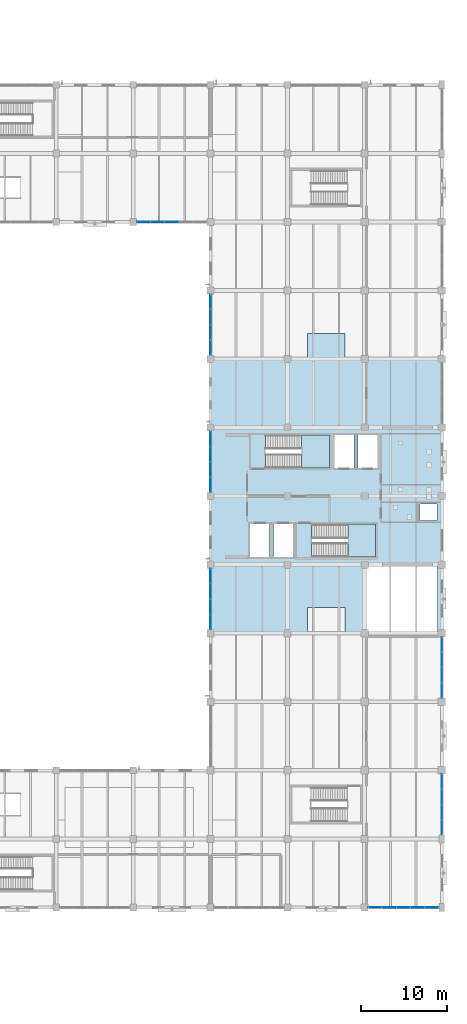
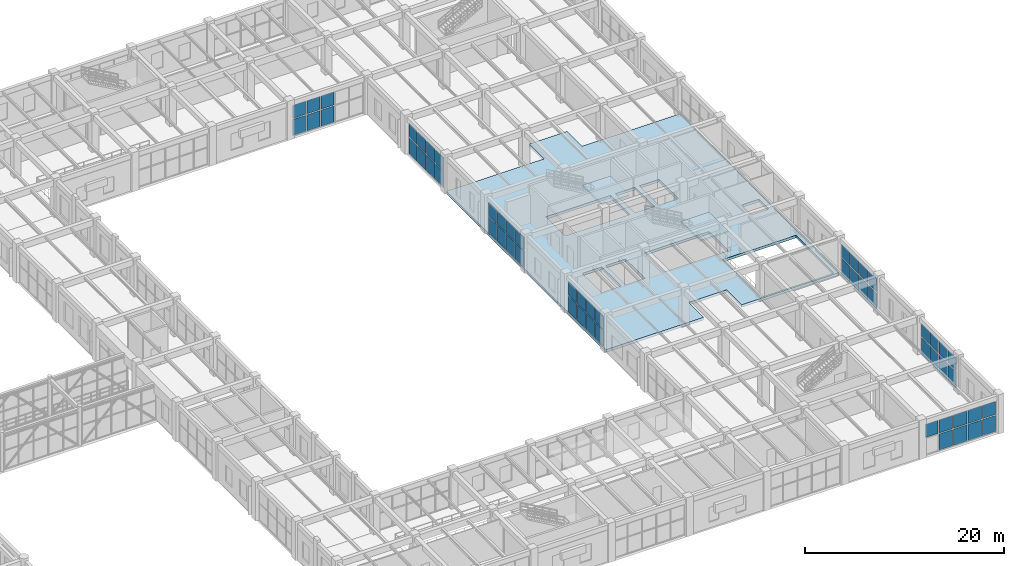
# One storey, part 149 of 178: 55 plates, 3 slabs, 9 elements without a shape of their own.
"""IFC4 building model written with IfcOpenShell, lengths in metres."""

from ifc_helpers import new_model, si_unit, derived_unit, direction, frame, origin, origin_2d, place, context, subcontext, project, spatial, polyline, rectangle, outline, extrude, material, layer, layer_set, type_object, element, aggregate, save


model = new_model("IFC4")

# Units and contexts
model_context = context("Model", 3, precision=1e-05, world=origin(), true_north=direction((0.0, 1.0)))
body_context = subcontext(model_context, "Body", "Model", "MODEL_VIEW")
ifc_project = project(units=[si_unit("LENGTHUNIT", "METRE"), si_unit("AREAUNIT", "SQUARE_METRE"), si_unit("VOLUMEUNIT", "CUBIC_METRE"), si_unit("PLANEANGLEUNIT", "RADIAN"), si_unit("MASSUNIT", "GRAM", prefix="KILO"), derived_unit("THERMALTRANSMITTANCEUNIT", [(si_unit("MASSUNIT", "GRAM", prefix="KILO"), 1), (si_unit("TIMEUNIT", "SECOND"), -3), (si_unit("THERMODYNAMICTEMPERATUREUNIT", "KELVIN"), -1)])], contexts=[model_context])

# Site, building, storey
site_placement = place(None, origin())
site = spatial("IfcSite", under=ifc_project, at=site_placement, CompositionType="ELEMENT")
building_placement = place(site_placement, origin())
building = spatial("IfcBuilding", under=site, at=building_placement, Name="Zhenchuan Archway Interchange", CompositionType="ELEMENT")
storey_placement = place(building_placement, frame((0.0, 0.0, 5.39990234375)))
storey = spatial("IfcBuildingStorey", under=building, at=storey_placement, Name="L01", CompositionType="ELEMENT", Elevation=5.39990234375)

# Curtain wall, plates
ifc_material_1 = material(Name="Anodised Aluminium", Category="aluminium")
curtain_wall_type_1 = type_object("IfcCurtainWallType", Name="CW_UNIT_2", PredefinedType="NOTDEFINED", material=ifc_material_1)
curtain_wall_1_placement = place(storey_placement, origin())
curtain_wall_1 = element("IfcCurtainWall", 1, at=curtain_wall_1_placement, inside=storey, type_object=curtain_wall_type_1, Name="Unitised curtain wall CW:L01:069", PredefinedType="NOTDEFINED")
ifc_material_2 = material(Name="Double Low-E Insulated Glazing", Category="glass")
ifc_layer_1 = layer(ifc_material_2, 0.028076171875)
ifc_layer_set_1 = layer_set([ifc_layer_1], Name="Double Low-E Insulated Glazing")
plate_type_1 = type_object("IfcPlateType", Name="CW_GLZ_1", PredefinedType="CURTAIN_PANEL", material=ifc_layer_set_1)
plate_1_placement = place(storey_placement, frame((169.863037109375, 8.0, 0.080078125), z_axis=(0.0, 0.0, 1.0), x_axis=(-1.0, 0.0, 0.0)))
plate_1 = element("IfcPlate", 2, at=plate_1_placement, type_object=plate_type_1, Name="CW:L01:069 lower glazing panel 0", PredefinedType="CURTAIN_PANEL", context=body_context, shape_type="SweptSolid", body=[
    extrude(rectangle(XDim=1.5078125, YDim=0.028076171875, at=origin_2d()), origin(), (0.0, 0.0, 1.0), 1.98291015625),
])
plate_2_placement = place(storey_placement, frame((168.205322265625, 8.0, 0.080078125), z_axis=(0.0, 0.0, 1.0), x_axis=(-1.0, 0.0, 0.0)))
plate_2 = element("IfcPlate", 3, at=plate_2_placement, type_object=plate_type_1, Name="CW:L01:069 lower glazing panel 1", PredefinedType="CURTAIN_PANEL", context=body_context, shape_type="SweptSolid", body=[
    extrude(rectangle(XDim=1.52783203125, YDim=0.028076171875, at=origin_2d()), origin(), (0.0, 0.0, 1.0), 1.98291015625),
])
plate_3_placement = place(storey_placement, frame((166.53759765625, 8.0, 0.080078125), z_axis=(0.0, 0.0, 1.0), x_axis=(-1.0, 0.0, 0.0)))
plate_3 = element("IfcPlate", 4, at=plate_3_placement, type_object=plate_type_1, Name="CW:L01:069 lower glazing panel 2", PredefinedType="CURTAIN_PANEL", context=body_context, shape_type="SweptSolid", body=[
    extrude(rectangle(XDim=1.52783203125, YDim=0.028076171875, at=origin_2d()), origin(), (0.0, 0.0, 1.0), 1.98291015625),
])
plate_4_placement = place(storey_placement, frame((164.86962890625, 8.0, 0.080078125), z_axis=(0.0, 0.0, 1.0), x_axis=(-1.0, 0.0, 0.0)))
plate_4 = element("IfcPlate", 5, at=plate_4_placement, type_object=plate_type_1, Name="CW:L01:069 lower glazing panel 3", PredefinedType="CURTAIN_PANEL", context=body_context, shape_type="SweptSolid", body=[
    extrude(rectangle(XDim=1.52783203125, YDim=0.028076171875, at=origin_2d()), origin(), (0.0, 0.0, 1.0), 1.98291015625),
])

curtain_wall_type_2 = type_object("IfcCurtainWallType", Name="CW_UNIT_1", PredefinedType="NOTDEFINED", material=ifc_material_1)
curtain_wall_2_placement = place(storey_placement, origin())
curtain_wall_2 = element("IfcCurtainWall", 6, at=curtain_wall_2_placement, inside=storey, type_object=curtain_wall_type_2, Name="Unitised curtain wall CW:L01:096", PredefinedType="NOTDEFINED")
plate_5_placement = place(storey_placement, frame((139.487548828125, 88.0, 0.080078125), z_axis=(0.0, 0.0, 1.0), x_axis=(-1.0, 0.0, 0.0)))
plate_5 = element("IfcPlate", 7, at=plate_5_placement, type_object=plate_type_1, Name="CW:L01:096 lower glazing panel 2", PredefinedType="CURTAIN_PANEL", context=body_context, shape_type="SweptSolid", body=[
    extrude(rectangle(XDim=1.5078125, YDim=0.028076171875, at=origin_2d()), origin(), (0.0, 0.0, 1.0), 1.98291015625),
])
plate_6_placement = place(storey_placement, frame((137.839599609375, 88.0, 0.080078125), z_axis=(0.0, 0.0, 1.0), x_axis=(-1.0, 0.0, 0.0)))
plate_6 = element("IfcPlate", 8, at=plate_6_placement, type_object=plate_type_1, Name="CW:L01:096 lower glazing panel 3", PredefinedType="CURTAIN_PANEL", context=body_context, shape_type="SweptSolid", body=[
    extrude(rectangle(XDim=1.5078125, YDim=0.028076171875, at=origin_2d()), origin(), (0.0, 0.0, 1.0), 1.98291015625),
])
plate_7_placement = place(storey_placement, frame((136.201904296875, 88.0, 0.080078125), z_axis=(0.0, 0.0, 1.0), x_axis=(-1.0, 0.0, 0.0)))
plate_7 = element("IfcPlate", 9, at=plate_7_placement, type_object=plate_type_1, Name="CW:L01:096 lower glazing panel 4", PredefinedType="CURTAIN_PANEL", context=body_context, shape_type="SweptSolid", body=[
    extrude(rectangle(XDim=1.48779296875, YDim=0.028076171875, at=origin_2d()), origin(), (0.0, 0.0, 1.0), 1.98291015625),
])

# Plate
ifc_layer_2 = layer(ifc_material_2, 0.02587890625)
ifc_layer_set_2 = layer_set([ifc_layer_2], Name="Double Low-E Insulated Glazing")
plate_type_2 = type_object("IfcPlateType", Name="CW_GLZ_2", PredefinedType="CURTAIN_PANEL", material=ifc_layer_set_2)
plate_8_placement = place(storey_placement, frame((169.863037109375, 8.0, 2.18310546875), z_axis=(0.0, 0.0, 1.0), x_axis=(-1.0, 0.0, 0.0)))
plate_8 = element("IfcPlate", 10, at=plate_8_placement, type_object=plate_type_2, Name="CW:L01:069 upper glazing panel 0", PredefinedType="CURTAIN_PANEL", context=body_context, shape_type="SweptSolid", body=[
    extrude(rectangle(XDim=1.5078125, YDim=0.02587890625, at=origin_2d()), origin(), (0.0, 0.0, 1.0), 1.596923828125),
])

plate_9_placement = place(storey_placement, frame((168.205322265625, 8.0, 2.18310546875), z_axis=(0.0, 0.0, 1.0), x_axis=(-1.0, 0.0, 0.0)))
plate_9 = element("IfcPlate", 11, at=plate_9_placement, type_object=plate_type_2, Name="CW:L01:069 upper glazing panel 1", PredefinedType="CURTAIN_PANEL", context=body_context, shape_type="SweptSolid", body=[
    extrude(rectangle(XDim=1.52783203125, YDim=0.02587890625, at=origin_2d()), origin(), (0.0, 0.0, 1.0), 1.596923828125),
])

plate_10_placement = place(storey_placement, frame((166.53759765625, 8.0, 2.18310546875), z_axis=(0.0, 0.0, 1.0), x_axis=(-1.0, 0.0, 0.0)))
plate_10 = element("IfcPlate", 12, at=plate_10_placement, type_object=plate_type_2, Name="CW:L01:069 upper glazing panel 2", PredefinedType="CURTAIN_PANEL", context=body_context, shape_type="SweptSolid", body=[
    extrude(rectangle(XDim=1.52783203125, YDim=0.02587890625, at=origin_2d()), origin(), (0.0, 0.0, 1.0), 1.596923828125),
])

plate_11_placement = place(storey_placement, frame((164.86962890625, 8.0, 2.18310546875), z_axis=(0.0, 0.0, 1.0), x_axis=(-1.0, 0.0, 0.0)))
plate_11 = element("IfcPlate", 13, at=plate_11_placement, type_object=plate_type_2, Name="CW:L01:069 upper glazing panel 3", PredefinedType="CURTAIN_PANEL", context=body_context, shape_type="SweptSolid", body=[
    extrude(rectangle(XDim=1.52783203125, YDim=0.02587890625, at=origin_2d()), origin(), (0.0, 0.0, 1.0), 1.596923828125),
])

plate_12_placement = place(storey_placement, frame((163.2119140625, 8.0, 2.18310546875), z_axis=(0.0, 0.0, 1.0), x_axis=(-1.0, 0.0, 0.0)))
plate_12 = element("IfcPlate", 14, at=plate_12_placement, type_object=plate_type_2, Name="CW:L01:069 upper glazing panel 4", PredefinedType="CURTAIN_PANEL", context=body_context, shape_type="SweptSolid", body=[
    extrude(rectangle(XDim=1.5078125, YDim=0.02587890625, at=origin_2d()), origin(), (0.0, 0.0, 1.0), 1.596923828125),
])

aggregate(curtain_wall_1, [plate_1, plate_8, plate_2, plate_9, plate_3, plate_10, plate_4, plate_11, plate_12])

plate_13_placement = place(storey_placement, frame((139.487548828125, 88.0, 2.18310546875), z_axis=(0.0, 0.0, 1.0), x_axis=(-1.0, 0.0, 0.0)))
plate_13 = element("IfcPlate", 15, at=plate_13_placement, type_object=plate_type_2, Name="CW:L01:096 upper glazing panel 2", PredefinedType="CURTAIN_PANEL", context=body_context, shape_type="SweptSolid", body=[
    extrude(rectangle(XDim=1.5078125, YDim=0.02587890625, at=origin_2d()), origin(), (0.0, 0.0, 1.0), 1.596923828125),
])

plate_14_placement = place(storey_placement, frame((137.839599609375, 88.0, 2.18310546875), z_axis=(0.0, 0.0, 1.0), x_axis=(-1.0, 0.0, 0.0)))
plate_14 = element("IfcPlate", 16, at=plate_14_placement, type_object=plate_type_2, Name="CW:L01:096 upper glazing panel 3", PredefinedType="CURTAIN_PANEL", context=body_context, shape_type="SweptSolid", body=[
    extrude(rectangle(XDim=1.5078125, YDim=0.02587890625, at=origin_2d()), origin(), (0.0, 0.0, 1.0), 1.596923828125),
])

plate_15_placement = place(storey_placement, frame((136.201904296875, 88.0, 2.18310546875), z_axis=(0.0, 0.0, 1.0), x_axis=(-1.0, 0.0, 0.0)))
plate_15 = element("IfcPlate", 17, at=plate_15_placement, type_object=plate_type_2, Name="CW:L01:096 upper glazing panel 4", PredefinedType="CURTAIN_PANEL", context=body_context, shape_type="SweptSolid", body=[
    extrude(rectangle(XDim=1.48779296875, YDim=0.02587890625, at=origin_2d()), origin(), (0.0, 0.0, 1.0), 1.596923828125),
])

aggregate(curtain_wall_2, [plate_5, plate_13, plate_6, plate_14, plate_7, plate_15])

# Curtain wall, plates
curtain_wall_type_3 = type_object("IfcCurtainWallType", Name="CW_UNIT_4", PredefinedType="NOTDEFINED", material=ifc_material_1)
curtain_wall_3_placement = place(storey_placement, origin())
curtain_wall_3 = element("IfcCurtainWall", 18, at=curtain_wall_3_placement, inside=storey, type_object=curtain_wall_type_3, Name="Unitised curtain wall CW:L01:067", PredefinedType="NOTDEFINED")
ifc_layer_3 = layer(ifc_material_2, 0.030029296875)
ifc_layer_set_3 = layer_set([ifc_layer_3], Name="Double Low-E Insulated Glazing")
plate_type_3 = type_object("IfcPlateType", Name="CW_GLZ_3", PredefinedType="CURTAIN_PANEL", material=ifc_layer_set_3)
plate_16_placement = place(storey_placement, frame((171.0, 38.6953125, 0.080078125), z_axis=(0.0, 0.0, 1.0), x_axis=(0.0, -1.0, 0.0)))
plate_16 = element("IfcPlate", 19, at=plate_16_placement, type_object=plate_type_3, Name="CW:L01:067 lower glazing panel 0", PredefinedType="CURTAIN_PANEL", context=body_context, shape_type="SweptSolid", body=[
    extrude(rectangle(XDim=1.6435546875, YDim=0.028076171875, at=origin_2d()), origin(), (0.0, 0.0, 1.0), 1.98291015625),
])
plate_17_placement = place(storey_placement, frame((171.0, 36.901611328125, 0.080078125), z_axis=(0.0, 0.0, 1.0), x_axis=(0.0, -1.0, 0.0)))
plate_17 = element("IfcPlate", 20, at=plate_17_placement, type_object=plate_type_3, Name="CW:L01:067 lower glazing panel 1", PredefinedType="CURTAIN_PANEL", context=body_context, shape_type="SweptSolid", body=[
    extrude(rectangle(XDim=1.66357421875, YDim=0.028076171875, at=origin_2d()), origin(), (0.0, 0.0, 1.0), 1.98291015625),
])
plate_18_placement = place(storey_placement, frame((171.0, 35.098388671875, 0.080078125), z_axis=(0.0, 0.0, 1.0), x_axis=(0.0, -1.0, 0.0)))
plate_18 = element("IfcPlate", 21, at=plate_18_placement, type_object=plate_type_3, Name="CW:L01:067 lower glazing panel 2", PredefinedType="CURTAIN_PANEL", context=body_context, shape_type="SweptSolid", body=[
    extrude(rectangle(XDim=1.66357421875, YDim=0.028076171875, at=origin_2d()), origin(), (0.0, 0.0, 1.0), 1.98291015625),
])
plate_19_placement = place(storey_placement, frame((171.0, 33.3046875, 0.080078125), z_axis=(0.0, 0.0, 1.0), x_axis=(0.0, -1.0, 0.0)))
plate_19 = element("IfcPlate", 22, at=plate_19_placement, type_object=plate_type_3, Name="CW:L01:067 lower glazing panel 3", PredefinedType="CURTAIN_PANEL", context=body_context, shape_type="SweptSolid", body=[
    extrude(rectangle(XDim=1.6435546875, YDim=0.028076171875, at=origin_2d()), origin(), (0.0, 0.0, 1.0), 1.98291015625),
])

curtain_wall_4_placement = place(storey_placement, origin())
curtain_wall_4 = element("IfcCurtainWall", 23, at=curtain_wall_4_placement, inside=storey, type_object=curtain_wall_type_2, Name="Unitised curtain wall CW:L01:068", PredefinedType="NOTDEFINED")
plate_20_placement = place(storey_placement, frame((171.0, 22.701416015625, 0.080078125), z_axis=(0.0, 0.0, 1.0), x_axis=(0.0, -1.0, 0.0)))
plate_20 = element("IfcPlate", 24, at=plate_20_placement, type_object=plate_type_3, Name="CW:L01:068 lower glazing panel 0", PredefinedType="CURTAIN_PANEL", context=body_context, shape_type="SweptSolid", body=[
    extrude(rectangle(XDim=1.631103515625, YDim=0.028076171875, at=origin_2d()), origin(), (0.0, 0.0, 1.0), 1.98291015625),
])
plate_21_placement = place(storey_placement, frame((171.0, 20.92041015625, 0.080078125), z_axis=(0.0, 0.0, 1.0), x_axis=(0.0, -1.0, 0.0)))
plate_21 = element("IfcPlate", 25, at=plate_21_placement, type_object=plate_type_3, Name="CW:L01:068 lower glazing panel 1", PredefinedType="CURTAIN_PANEL", context=body_context, shape_type="SweptSolid", body=[
    extrude(rectangle(XDim=1.65087890625, YDim=0.028076171875, at=origin_2d()), origin(), (0.0, 0.0, 1.0), 1.98291015625),
])
plate_22_placement = place(storey_placement, frame((171.0, 19.12939453125, 0.080078125), z_axis=(0.0, 0.0, 1.0), x_axis=(0.0, -1.0, 0.0)))
plate_22 = element("IfcPlate", 26, at=plate_22_placement, type_object=plate_type_3, Name="CW:L01:068 lower glazing panel 2", PredefinedType="CURTAIN_PANEL", context=body_context, shape_type="SweptSolid", body=[
    extrude(rectangle(XDim=1.65087890625, YDim=0.028076171875, at=origin_2d()), origin(), (0.0, 0.0, 1.0), 1.98291015625),
])
plate_23_placement = place(storey_placement, frame((171.0, 17.348388671875, 0.080078125), z_axis=(0.0, 0.0, 1.0), x_axis=(0.0, -1.0, 0.0)))
plate_23 = element("IfcPlate", 27, at=plate_23_placement, type_object=plate_type_3, Name="CW:L01:068 lower glazing panel 3", PredefinedType="CURTAIN_PANEL", context=body_context, shape_type="SweptSolid", body=[
    extrude(rectangle(XDim=1.631103515625, YDim=0.028076171875, at=origin_2d()), origin(), (0.0, 0.0, 1.0), 1.98291015625),
])

curtain_wall_5_placement = place(storey_placement, origin())
curtain_wall_5 = element("IfcCurtainWall", 28, at=curtain_wall_5_placement, inside=storey, type_object=curtain_wall_type_1, Name="Unitised curtain wall CW:L01:093", PredefinedType="NOTDEFINED")
plate_24_placement = place(storey_placement, frame((144.0, 41.3046875, 0.080078125), z_axis=(0.0, 0.0, 1.0), x_axis=(0.0, 1.0, 0.0)))
plate_24 = element("IfcPlate", 29, at=plate_24_placement, type_object=plate_type_3, Name="CW:L01:093 lower glazing panel 0", PredefinedType="CURTAIN_PANEL", context=body_context, shape_type="SweptSolid", body=[
    extrude(rectangle(XDim=1.6435546875, YDim=0.028076171875, at=origin_2d()), origin(), (0.0, 0.0, 1.0), 1.98291015625),
])
plate_25_placement = place(storey_placement, frame((144.0, 43.098388671875, 0.080078125), z_axis=(0.0, 0.0, 1.0), x_axis=(0.0, 1.0, 0.0)))
plate_25 = element("IfcPlate", 30, at=plate_25_placement, type_object=plate_type_3, Name="CW:L01:093 lower glazing panel 1", PredefinedType="CURTAIN_PANEL", context=body_context, shape_type="SweptSolid", body=[
    extrude(rectangle(XDim=1.66357421875, YDim=0.028076171875, at=origin_2d()), origin(), (0.0, 0.0, 1.0), 1.98291015625),
])
plate_26_placement = place(storey_placement, frame((144.0, 44.901611328125, 0.080078125), z_axis=(0.0, 0.0, 1.0), x_axis=(0.0, 1.0, 0.0)))
plate_26 = element("IfcPlate", 31, at=plate_26_placement, type_object=plate_type_3, Name="CW:L01:093 lower glazing panel 2", PredefinedType="CURTAIN_PANEL", context=body_context, shape_type="SweptSolid", body=[
    extrude(rectangle(XDim=1.66357421875, YDim=0.028076171875, at=origin_2d()), origin(), (0.0, 0.0, 1.0), 1.98291015625),
])
plate_27_placement = place(storey_placement, frame((144.0, 46.6953125, 0.080078125), z_axis=(0.0, 0.0, 1.0), x_axis=(0.0, 1.0, 0.0)))
plate_27 = element("IfcPlate", 32, at=plate_27_placement, type_object=plate_type_3, Name="CW:L01:093 lower glazing panel 3", PredefinedType="CURTAIN_PANEL", context=body_context, shape_type="SweptSolid", body=[
    extrude(rectangle(XDim=1.6435546875, YDim=0.028076171875, at=origin_2d()), origin(), (0.0, 0.0, 1.0), 1.98291015625),
])

curtain_wall_type_4 = type_object("IfcCurtainWallType", Name="CW_UNIT_3", PredefinedType="NOTDEFINED", material=ifc_material_1)
curtain_wall_6_placement = place(storey_placement, origin())
curtain_wall_6 = element("IfcCurtainWall", 33, at=curtain_wall_6_placement, inside=storey, type_object=curtain_wall_type_4, Name="Unitised curtain wall CW:L01:094", PredefinedType="NOTDEFINED")
plate_28_placement = place(storey_placement, frame((144.0, 57.3046875, 0.080078125), z_axis=(0.0, 0.0, 1.0), x_axis=(0.0, 1.0, 0.0)))
plate_28 = element("IfcPlate", 34, at=plate_28_placement, type_object=plate_type_3, Name="CW:L01:094 lower glazing panel 0", PredefinedType="CURTAIN_PANEL", context=body_context, shape_type="SweptSolid", body=[
    extrude(rectangle(XDim=1.6435546875, YDim=0.028076171875, at=origin_2d()), origin(), (0.0, 0.0, 1.0), 1.98291015625),
])
plate_29_placement = place(storey_placement, frame((144.0, 59.098388671875, 0.080078125), z_axis=(0.0, 0.0, 1.0), x_axis=(0.0, 1.0, 0.0)))
plate_29 = element("IfcPlate", 35, at=plate_29_placement, type_object=plate_type_3, Name="CW:L01:094 lower glazing panel 1", PredefinedType="CURTAIN_PANEL", context=body_context, shape_type="SweptSolid", body=[
    extrude(rectangle(XDim=1.66357421875, YDim=0.028076171875, at=origin_2d()), origin(), (0.0, 0.0, 1.0), 1.98291015625),
])
plate_30_placement = place(storey_placement, frame((144.0, 60.901611328125, 0.080078125), z_axis=(0.0, 0.0, 1.0), x_axis=(0.0, 1.0, 0.0)))
plate_30 = element("IfcPlate", 36, at=plate_30_placement, type_object=plate_type_3, Name="CW:L01:094 lower glazing panel 2", PredefinedType="CURTAIN_PANEL", context=body_context, shape_type="SweptSolid", body=[
    extrude(rectangle(XDim=1.66357421875, YDim=0.028076171875, at=origin_2d()), origin(), (0.0, 0.0, 1.0), 1.98291015625),
])
plate_31_placement = place(storey_placement, frame((144.0, 62.6953125, 0.080078125), z_axis=(0.0, 0.0, 1.0), x_axis=(0.0, 1.0, 0.0)))
plate_31 = element("IfcPlate", 37, at=plate_31_placement, type_object=plate_type_3, Name="CW:L01:094 lower glazing panel 3", PredefinedType="CURTAIN_PANEL", context=body_context, shape_type="SweptSolid", body=[
    extrude(rectangle(XDim=1.6435546875, YDim=0.028076171875, at=origin_2d()), origin(), (0.0, 0.0, 1.0), 1.98291015625),
])

curtain_wall_7_placement = place(storey_placement, origin())
curtain_wall_7 = element("IfcCurtainWall", 38, at=curtain_wall_7_placement, inside=storey, type_object=curtain_wall_type_3, Name="Unitised curtain wall CW:L01:095", PredefinedType="NOTDEFINED")
plate_32_placement = place(storey_placement, frame((144.0, 73.3046875, 0.080078125), z_axis=(0.0, 0.0, 1.0), x_axis=(0.0, 1.0, 0.0)))
plate_32 = element("IfcPlate", 39, at=plate_32_placement, type_object=plate_type_3, Name="CW:L01:095 lower glazing panel 0", PredefinedType="CURTAIN_PANEL", context=body_context, shape_type="SweptSolid", body=[
    extrude(rectangle(XDim=1.6435546875, YDim=0.028076171875, at=origin_2d()), origin(), (0.0, 0.0, 1.0), 1.98291015625),
])
plate_33_placement = place(storey_placement, frame((144.0, 75.098388671875, 0.080078125), z_axis=(0.0, 0.0, 1.0), x_axis=(0.0, 1.0, 0.0)))
plate_33 = element("IfcPlate", 40, at=plate_33_placement, type_object=plate_type_3, Name="CW:L01:095 lower glazing panel 1", PredefinedType="CURTAIN_PANEL", context=body_context, shape_type="SweptSolid", body=[
    extrude(rectangle(XDim=1.66357421875, YDim=0.028076171875, at=origin_2d()), origin(), (0.0, 0.0, 1.0), 1.98291015625),
])
plate_34_placement = place(storey_placement, frame((144.0, 76.901611328125, 0.080078125), z_axis=(0.0, 0.0, 1.0), x_axis=(0.0, 1.0, 0.0)))
plate_34 = element("IfcPlate", 41, at=plate_34_placement, type_object=plate_type_3, Name="CW:L01:095 lower glazing panel 2", PredefinedType="CURTAIN_PANEL", context=body_context, shape_type="SweptSolid", body=[
    extrude(rectangle(XDim=1.66357421875, YDim=0.028076171875, at=origin_2d()), origin(), (0.0, 0.0, 1.0), 1.98291015625),
])
plate_35_placement = place(storey_placement, frame((144.0, 78.6953125, 0.080078125), z_axis=(0.0, 0.0, 1.0), x_axis=(0.0, 1.0, 0.0)))
plate_35 = element("IfcPlate", 42, at=plate_35_placement, type_object=plate_type_3, Name="CW:L01:095 lower glazing panel 3", PredefinedType="CURTAIN_PANEL", context=body_context, shape_type="SweptSolid", body=[
    extrude(rectangle(XDim=1.6435546875, YDim=0.028076171875, at=origin_2d()), origin(), (0.0, 0.0, 1.0), 1.98291015625),
])

# Plate
ifc_layer_4 = layer(ifc_material_2, 0.02392578125)
ifc_layer_set_4 = layer_set([ifc_layer_4], Name="Double Low-E Insulated Glazing")
plate_type_4 = type_object("IfcPlateType", Name="CW_GLZ_4", PredefinedType="CURTAIN_PANEL", material=ifc_layer_set_4)
plate_36_placement = place(storey_placement, frame((171.0, 38.6953125, 2.18310546875), z_axis=(0.0, 0.0, 1.0), x_axis=(0.0, -1.0, 0.0)))
plate_36 = element("IfcPlate", 43, at=plate_36_placement, type_object=plate_type_4, Name="CW:L01:067 upper glazing panel 0", PredefinedType="CURTAIN_PANEL", context=body_context, shape_type="SweptSolid", body=[
    extrude(rectangle(XDim=1.6435546875, YDim=0.02587890625, at=origin_2d()), origin(), (0.0, 0.0, 1.0), 1.596923828125),
])

plate_37_placement = place(storey_placement, frame((171.0, 36.901611328125, 2.18310546875), z_axis=(0.0, 0.0, 1.0), x_axis=(0.0, -1.0, 0.0)))
plate_37 = element("IfcPlate", 44, at=plate_37_placement, type_object=plate_type_4, Name="CW:L01:067 upper glazing panel 1", PredefinedType="CURTAIN_PANEL", context=body_context, shape_type="SweptSolid", body=[
    extrude(rectangle(XDim=1.66357421875, YDim=0.02587890625, at=origin_2d()), origin(), (0.0, 0.0, 1.0), 1.596923828125),
])

plate_38_placement = place(storey_placement, frame((171.0, 35.098388671875, 2.18310546875), z_axis=(0.0, 0.0, 1.0), x_axis=(0.0, -1.0, 0.0)))
plate_38 = element("IfcPlate", 45, at=plate_38_placement, type_object=plate_type_4, Name="CW:L01:067 upper glazing panel 2", PredefinedType="CURTAIN_PANEL", context=body_context, shape_type="SweptSolid", body=[
    extrude(rectangle(XDim=1.66357421875, YDim=0.02587890625, at=origin_2d()), origin(), (0.0, 0.0, 1.0), 1.596923828125),
])

plate_39_placement = place(storey_placement, frame((171.0, 33.3046875, 2.18310546875), z_axis=(0.0, 0.0, 1.0), x_axis=(0.0, -1.0, 0.0)))
plate_39 = element("IfcPlate", 46, at=plate_39_placement, type_object=plate_type_4, Name="CW:L01:067 upper glazing panel 3", PredefinedType="CURTAIN_PANEL", context=body_context, shape_type="SweptSolid", body=[
    extrude(rectangle(XDim=1.6435546875, YDim=0.02587890625, at=origin_2d()), origin(), (0.0, 0.0, 1.0), 1.596923828125),
])

aggregate(curtain_wall_3, [plate_16, plate_36, plate_17, plate_37, plate_18, plate_38, plate_19, plate_39])

plate_40_placement = place(storey_placement, frame((171.0, 22.701416015625, 2.18310546875), z_axis=(0.0, 0.0, 1.0), x_axis=(0.0, -1.0, 0.0)))
plate_40 = element("IfcPlate", 47, at=plate_40_placement, type_object=plate_type_4, Name="CW:L01:068 upper glazing panel 0", PredefinedType="CURTAIN_PANEL", context=body_context, shape_type="SweptSolid", body=[
    extrude(rectangle(XDim=1.631103515625, YDim=0.02587890625, at=origin_2d()), origin(), (0.0, 0.0, 1.0), 1.596923828125),
])

plate_41_placement = place(storey_placement, frame((171.0, 20.92041015625, 2.18310546875), z_axis=(0.0, 0.0, 1.0), x_axis=(0.0, -1.0, 0.0)))
plate_41 = element("IfcPlate", 48, at=plate_41_placement, type_object=plate_type_4, Name="CW:L01:068 upper glazing panel 1", PredefinedType="CURTAIN_PANEL", context=body_context, shape_type="SweptSolid", body=[
    extrude(rectangle(XDim=1.65087890625, YDim=0.02587890625, at=origin_2d()), origin(), (0.0, 0.0, 1.0), 1.596923828125),
])

plate_42_placement = place(storey_placement, frame((171.0, 19.12939453125, 2.18310546875), z_axis=(0.0, 0.0, 1.0), x_axis=(0.0, -1.0, 0.0)))
plate_42 = element("IfcPlate", 49, at=plate_42_placement, type_object=plate_type_4, Name="CW:L01:068 upper glazing panel 2", PredefinedType="CURTAIN_PANEL", context=body_context, shape_type="SweptSolid", body=[
    extrude(rectangle(XDim=1.65087890625, YDim=0.02587890625, at=origin_2d()), origin(), (0.0, 0.0, 1.0), 1.596923828125),
])

plate_43_placement = place(storey_placement, frame((171.0, 17.348388671875, 2.18310546875), z_axis=(0.0, 0.0, 1.0), x_axis=(0.0, -1.0, 0.0)))
plate_43 = element("IfcPlate", 50, at=plate_43_placement, type_object=plate_type_4, Name="CW:L01:068 upper glazing panel 3", PredefinedType="CURTAIN_PANEL", context=body_context, shape_type="SweptSolid", body=[
    extrude(rectangle(XDim=1.631103515625, YDim=0.02587890625, at=origin_2d()), origin(), (0.0, 0.0, 1.0), 1.596923828125),
])

aggregate(curtain_wall_4, [plate_20, plate_40, plate_21, plate_41, plate_22, plate_42, plate_23, plate_43])

plate_44_placement = place(storey_placement, frame((144.0, 41.3046875, 2.18310546875), z_axis=(0.0, 0.0, 1.0), x_axis=(0.0, 1.0, 0.0)))
plate_44 = element("IfcPlate", 51, at=plate_44_placement, type_object=plate_type_4, Name="CW:L01:093 upper glazing panel 0", PredefinedType="CURTAIN_PANEL", context=body_context, shape_type="SweptSolid", body=[
    extrude(rectangle(XDim=1.6435546875, YDim=0.02587890625, at=origin_2d()), origin(), (0.0, 0.0, 1.0), 1.596923828125),
])

plate_45_placement = place(storey_placement, frame((144.0, 43.098388671875, 2.18310546875), z_axis=(0.0, 0.0, 1.0), x_axis=(0.0, 1.0, 0.0)))
plate_45 = element("IfcPlate", 52, at=plate_45_placement, type_object=plate_type_4, Name="CW:L01:093 upper glazing panel 1", PredefinedType="CURTAIN_PANEL", context=body_context, shape_type="SweptSolid", body=[
    extrude(rectangle(XDim=1.66357421875, YDim=0.02587890625, at=origin_2d()), origin(), (0.0, 0.0, 1.0), 1.596923828125),
])

plate_46_placement = place(storey_placement, frame((144.0, 44.901611328125, 2.18310546875), z_axis=(0.0, 0.0, 1.0), x_axis=(0.0, 1.0, 0.0)))
plate_46 = element("IfcPlate", 53, at=plate_46_placement, type_object=plate_type_4, Name="CW:L01:093 upper glazing panel 2", PredefinedType="CURTAIN_PANEL", context=body_context, shape_type="SweptSolid", body=[
    extrude(rectangle(XDim=1.66357421875, YDim=0.02587890625, at=origin_2d()), origin(), (0.0, 0.0, 1.0), 1.596923828125),
])

plate_47_placement = place(storey_placement, frame((144.0, 46.6953125, 2.18310546875), z_axis=(0.0, 0.0, 1.0), x_axis=(0.0, 1.0, 0.0)))
plate_47 = element("IfcPlate", 54, at=plate_47_placement, type_object=plate_type_4, Name="CW:L01:093 upper glazing panel 3", PredefinedType="CURTAIN_PANEL", context=body_context, shape_type="SweptSolid", body=[
    extrude(rectangle(XDim=1.6435546875, YDim=0.02587890625, at=origin_2d()), origin(), (0.0, 0.0, 1.0), 1.596923828125),
])

aggregate(curtain_wall_5, [plate_24, plate_44, plate_25, plate_45, plate_26, plate_46, plate_27, plate_47])

plate_48_placement = place(storey_placement, frame((144.0, 57.3046875, 2.18310546875), z_axis=(0.0, 0.0, 1.0), x_axis=(0.0, 1.0, 0.0)))
plate_48 = element("IfcPlate", 55, at=plate_48_placement, type_object=plate_type_4, Name="CW:L01:094 upper glazing panel 0", PredefinedType="CURTAIN_PANEL", context=body_context, shape_type="SweptSolid", body=[
    extrude(rectangle(XDim=1.6435546875, YDim=0.02587890625, at=origin_2d()), origin(), (0.0, 0.0, 1.0), 1.596923828125),
])

plate_49_placement = place(storey_placement, frame((144.0, 59.098388671875, 2.18310546875), z_axis=(0.0, 0.0, 1.0), x_axis=(0.0, 1.0, 0.0)))
plate_49 = element("IfcPlate", 56, at=plate_49_placement, type_object=plate_type_4, Name="CW:L01:094 upper glazing panel 1", PredefinedType="CURTAIN_PANEL", context=body_context, shape_type="SweptSolid", body=[
    extrude(rectangle(XDim=1.66357421875, YDim=0.02587890625, at=origin_2d()), origin(), (0.0, 0.0, 1.0), 1.596923828125),
])

plate_50_placement = place(storey_placement, frame((144.0, 60.901611328125, 2.18310546875), z_axis=(0.0, 0.0, 1.0), x_axis=(0.0, 1.0, 0.0)))
plate_50 = element("IfcPlate", 57, at=plate_50_placement, type_object=plate_type_4, Name="CW:L01:094 upper glazing panel 2", PredefinedType="CURTAIN_PANEL", context=body_context, shape_type="SweptSolid", body=[
    extrude(rectangle(XDim=1.66357421875, YDim=0.02587890625, at=origin_2d()), origin(), (0.0, 0.0, 1.0), 1.596923828125),
])

plate_51_placement = place(storey_placement, frame((144.0, 62.6953125, 2.18310546875), z_axis=(0.0, 0.0, 1.0), x_axis=(0.0, 1.0, 0.0)))
plate_51 = element("IfcPlate", 58, at=plate_51_placement, type_object=plate_type_4, Name="CW:L01:094 upper glazing panel 3", PredefinedType="CURTAIN_PANEL", context=body_context, shape_type="SweptSolid", body=[
    extrude(rectangle(XDim=1.6435546875, YDim=0.02587890625, at=origin_2d()), origin(), (0.0, 0.0, 1.0), 1.596923828125),
])

aggregate(curtain_wall_6, [plate_28, plate_48, plate_29, plate_49, plate_30, plate_50, plate_31, plate_51])

plate_52_placement = place(storey_placement, frame((144.0, 73.3046875, 2.18310546875), z_axis=(0.0, 0.0, 1.0), x_axis=(0.0, 1.0, 0.0)))
plate_52 = element("IfcPlate", 59, at=plate_52_placement, type_object=plate_type_4, Name="CW:L01:095 upper glazing panel 0", PredefinedType="CURTAIN_PANEL", context=body_context, shape_type="SweptSolid", body=[
    extrude(rectangle(XDim=1.6435546875, YDim=0.02587890625, at=origin_2d()), origin(), (0.0, 0.0, 1.0), 1.596923828125),
])

plate_53_placement = place(storey_placement, frame((144.0, 75.098388671875, 2.18310546875), z_axis=(0.0, 0.0, 1.0), x_axis=(0.0, 1.0, 0.0)))
plate_53 = element("IfcPlate", 60, at=plate_53_placement, type_object=plate_type_4, Name="CW:L01:095 upper glazing panel 1", PredefinedType="CURTAIN_PANEL", context=body_context, shape_type="SweptSolid", body=[
    extrude(rectangle(XDim=1.66357421875, YDim=0.02587890625, at=origin_2d()), origin(), (0.0, 0.0, 1.0), 1.596923828125),
])

plate_54_placement = place(storey_placement, frame((144.0, 76.901611328125, 2.18310546875), z_axis=(0.0, 0.0, 1.0), x_axis=(0.0, 1.0, 0.0)))
plate_54 = element("IfcPlate", 61, at=plate_54_placement, type_object=plate_type_4, Name="CW:L01:095 upper glazing panel 2", PredefinedType="CURTAIN_PANEL", context=body_context, shape_type="SweptSolid", body=[
    extrude(rectangle(XDim=1.66357421875, YDim=0.02587890625, at=origin_2d()), origin(), (0.0, 0.0, 1.0), 1.596923828125),
])

plate_55_placement = place(storey_placement, frame((144.0, 78.6953125, 2.18310546875), z_axis=(0.0, 0.0, 1.0), x_axis=(0.0, 1.0, 0.0)))
plate_55 = element("IfcPlate", 62, at=plate_55_placement, type_object=plate_type_4, Name="CW:L01:095 upper glazing panel 3", PredefinedType="CURTAIN_PANEL", context=body_context, shape_type="SweptSolid", body=[
    extrude(rectangle(XDim=1.6435546875, YDim=0.02587890625, at=origin_2d()), origin(), (0.0, 0.0, 1.0), 1.596923828125),
])

aggregate(curtain_wall_7, [plate_32, plate_52, plate_33, plate_53, plate_34, plate_54, plate_35, plate_55])

# Slab
ifc_material_3 = material(Name="Concrete C40", Category="concrete")
ifc_layer_5 = layer(ifc_material_3, 0.320068359375)
ifc_layer_set_5 = layer_set([ifc_layer_5], Name="Concrete C40")
slab_type_1 = type_object("IfcSlabType", Name="SLB_FLR_320", PredefinedType="FLOOR", material=ifc_layer_set_5)
slab_1_placement = place(storey_placement, frame((0.0, 0.0, -0.31982421875)))
element("IfcSlab", 63, at=slab_1_placement, inside=storey, type_object=slab_type_1, Name="Structural slab L01 OPS-EM", PredefinedType="FLOOR", context=body_context, shape_type="SweptSolid", body=[
    extrude(outline(polyline([(159.699951171875, 43.0), (155.300048828125, 43.0), (155.300048828125, 40.0), (144.0, 40.0), (144.0, 72.0), (155.302001953125, 72.0), (155.302001953125, 74.998046875), (159.697998046875, 74.998046875), (159.697998046875, 72.0), (171.0, 72.0), (171.0, 40.0), (159.699951171875, 40.0), (159.699951171875, 43.0)]), holes=[polyline([(150.425048828125, 59.27490234375), (157.875, 59.27490234375), (157.875, 63.125), (150.425048828125, 63.125), (150.425048828125, 59.27490234375)]), polyline([(155.824951171875, 52.72509765625), (155.824951171875, 48.875), (163.27490234375, 48.875), (163.27490234375, 52.72509765625), (155.824951171875, 52.72509765625)]), polyline([(160.72998046875, 63.1298828125), (158.469970703125, 63.1298828125), (158.469970703125, 59.27001953125), (160.72998046875, 59.27001953125), (160.72998046875, 63.1298828125)]), polyline([(163.47998046875, 59.27001953125), (163.47998046875, 63.1298828125), (161.219970703125, 63.1298828125), (161.219970703125, 59.27001953125), (163.47998046875, 59.27001953125)]), polyline([(148.6201171875, 48.8701171875), (150.8798828125, 48.8701171875), (150.8798828125, 52.72998046875), (148.6201171875, 52.72998046875), (148.6201171875, 48.8701171875)]), polyline([(151.360107421875, 52.72998046875), (151.360107421875, 48.8701171875), (153.6201171875, 48.8701171875), (153.6201171875, 52.72998046875), (151.360107421875, 52.72998046875)]), polyline([(170.5, 47.800048828125), (162.0, 47.800048828125), (162.0, 40.199951171875), (170.5, 40.199951171875), (170.5, 47.800048828125)]), polyline([(170.449951171875, 53.14990234375), (170.449951171875, 55.10009765625), (168.449951171875, 55.10009765625), (168.449951171875, 53.14990234375), (170.449951171875, 53.14990234375)])]), origin(), (0.0, 0.0, 1.0), 0.31982421875),
])

# Stair, slab
ifc_material_4 = material(Name="Concrete C35", Category="concrete")
stair_type_1 = type_object("IfcStairType", Name="STR_HALF_1550", PredefinedType="HALF_TURN_STAIR", material=ifc_material_4)
stair_1_placement = place(storey_placement, origin())
stair_1 = element("IfcStair", 64, at=stair_1_placement, inside=storey, type_object=stair_type_1, Name="Stair ST-O1 (L01)", PredefinedType="HALF_TURN_STAIR")
ifc_layer_6 = layer(ifc_material_4, 0.199951171875)
ifc_layer_set_6 = layer_set([ifc_layer_6], Name="Concrete C35")
slab_type_2 = type_object("IfcSlabType", Name="SLB_LANDING_200", PredefinedType="LANDING", material=ifc_layer_set_6)
slab_2_placement = place(storey_placement, frame((0.0, 0.0, 2.2001953125)))
slab_2 = element("IfcSlab", 65, at=slab_2_placement, type_object=slab_type_2, Name="Stair ST-O1 half-landing (L01)", PredefinedType="LANDING", context=body_context, shape_type="SweptSolid", body=[
    extrude(outline(polyline([(154.64501953125, 59.27294921875), (157.876953125, 59.27294921875), (157.876953125, 63.126953125), (154.64501953125, 63.126953125), (154.64501953125, 59.27294921875)])), origin(), (0.0, 0.0, 1.0), 0.199951171875),
])
aggregate(stair_1, [slab_2])

stair_type_2 = type_object("IfcStairType", Name="STR_HALF_1600", PredefinedType="HALF_TURN_STAIR", material=ifc_material_4)
stair_2_placement = place(storey_placement, origin())
stair_2 = element("IfcStair", 66, at=stair_2_placement, inside=storey, type_object=stair_type_2, Name="Stair ST-O2 (L01)", PredefinedType="HALF_TURN_STAIR")
slab_3_placement = place(storey_placement, frame((0.0, 0.0, 2.2001953125)))
slab_3 = element("IfcSlab", 67, at=slab_3_placement, type_object=slab_type_2, Name="Stair ST-O2 half-landing (L01)", PredefinedType="LANDING", context=body_context, shape_type="SweptSolid", body=[
    extrude(outline(polyline([(160.044921875, 48.873046875), (163.277099609375, 48.873046875), (163.277099609375, 52.72705078125), (160.044921875, 52.72705078125), (160.044921875, 48.873046875)])), origin(), (0.0, 0.0, 1.0), 0.199951171875),
])
aggregate(stair_2, [slab_3])

save(model, "model.ifc")
